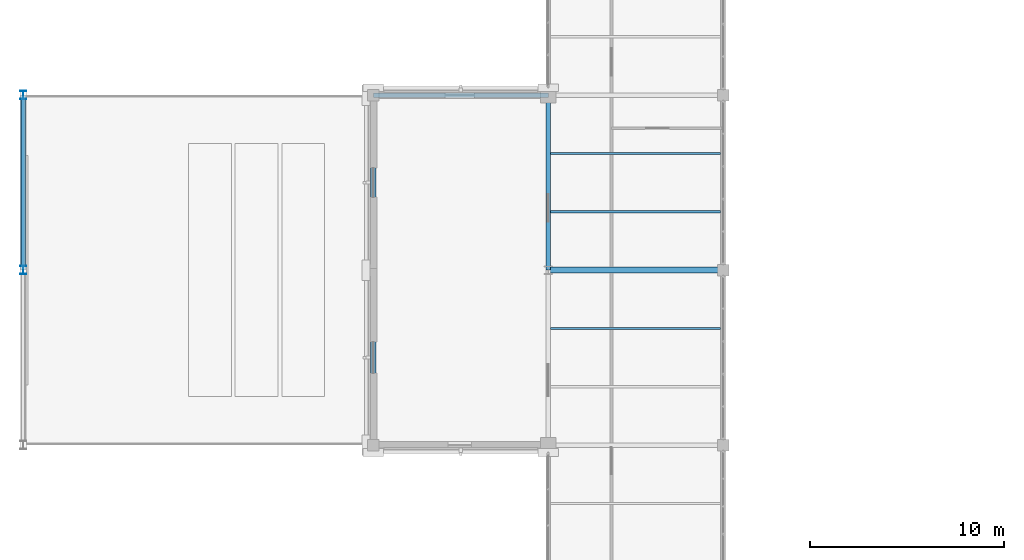
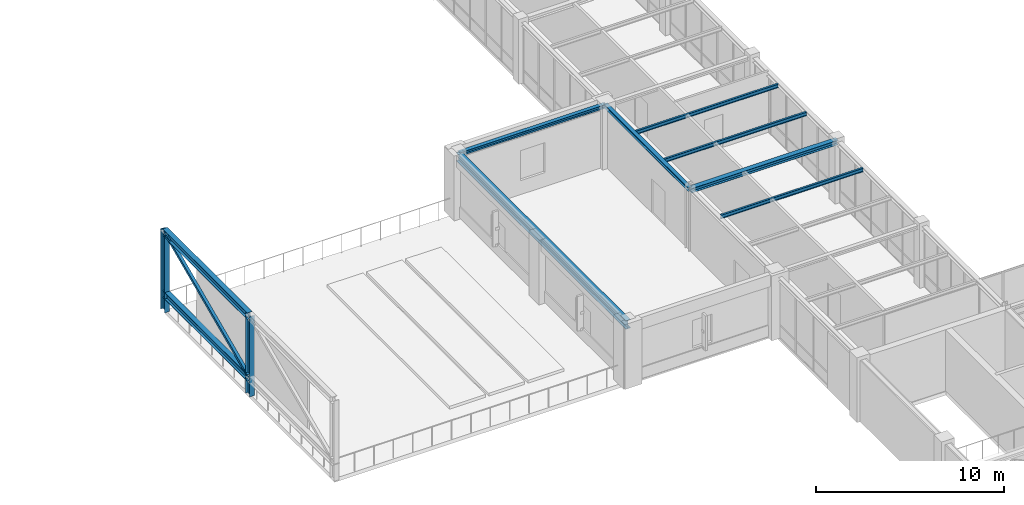
# One storey, part 25 of 97: 7 beams, 5 members.
"""IFC4 building model written with IfcOpenShell, lengths in metres."""

from ifc_helpers import new_model, si_unit, direction, frame, origin, origin_2d, place, context, subcontext, project, spatial, hollow_rectangle, i_section, extrude, material, material_profile, profile_set, type_object, element, save


model = new_model("IFC4")

# Units and contexts
model_context = context("Model", 3, precision=1e-05, world=origin(), true_north=direction((0.0, 1.0)))
body_context = subcontext(model_context, "Body", "Model", "MODEL_VIEW")
ifc_project = project(units=[si_unit("LENGTHUNIT", "METRE"), si_unit("AREAUNIT", "SQUARE_METRE"), si_unit("VOLUMEUNIT", "CUBIC_METRE"), si_unit("PLANEANGLEUNIT", "RADIAN"), si_unit("MASSUNIT", "GRAM", prefix="KILO")], contexts=[model_context])

# Site, building, storey
site_placement = place(None, origin())
site = spatial("IfcSite", under=ifc_project, at=site_placement, CompositionType="ELEMENT")
building_placement = place(site_placement, origin())
building = spatial("IfcBuilding", under=site, at=building_placement, Name="Lykobir Media Centre", CompositionType="ELEMENT")
storey_placement = place(building_placement, frame((0.0, 0.0, 23.39990234375)))
storey = spatial("IfcBuildingStorey", under=building, at=storey_placement, Name="L05", CompositionType="ELEMENT", Elevation=23.39990234375)

# Beams
ifc_material = material(Name="Steel S355", Category="steel")
ifc_material_profile_1 = material_profile(ifc_material, i_section(OverallWidth=0.300048828125, OverallDepth=0.2900390625, WebThickness=0.008544921875, FlangeThickness=0.013916015625, at=origin_2d()), Name="HEA 300")
ifc_profile_set_1 = profile_set([ifc_material_profile_1], Name="Steel S355")
beam_type_1 = type_object("IfcBeamType", Name="BM-HEA300", PredefinedType="BEAM", material=ifc_profile_set_1)
beam_1_placement = place(storey_placement, frame((27.0, 36.0, 3.815185546875), z_axis=(1.0, 0.0, 0.0), x_axis=(0.0, 1.0, 0.0)))
element("IfcBeam", 1, at=beam_1_placement, inside=storey, type_object=beam_type_1, Name="Beam BM-L05-0270-0360-0360-0360-2722", PredefinedType="BEAM", context=body_context, shape_type="SweptSolid", body=[
    extrude(i_section(OverallWidth=0.300048828125, OverallDepth=0.2900390625, WebThickness=0.008544921875, FlangeThickness=0.013916015625, at=origin_2d()), origin(), (0.0, 0.0, 1.0), 9.0),
])
ifc_material_profile_2 = material_profile(ifc_material, i_section(OverallWidth=0.300048828125, OverallDepth=0.550048828125, WebThickness=0.014892578125, FlangeThickness=0.029052734375, at=origin_2d()), Name="HEB 550")
ifc_profile_set_2 = profile_set([ifc_material_profile_2], Name="Steel S355")
beam_type_2 = type_object("IfcBeamType", Name="BM-HEB550", PredefinedType="BEAM", material=ifc_profile_set_2)
beam_2_placement = place(storey_placement, frame((18.0, 27.0, 3.68505859375), z_axis=(0.0, 1.0, 0.0), x_axis=(-1.0, 0.0, 0.0)))
element("IfcBeam", 2, at=beam_2_placement, inside=storey, type_object=beam_type_2, Name="Beam BM-L05-0180-0270-0180-0450-2708", PredefinedType="BEAM", context=body_context, shape_type="SweptSolid", body=[
    extrude(i_section(OverallWidth=0.300048828125, OverallDepth=0.550048828125, WebThickness=0.014892578125, FlangeThickness=0.029052734375, at=origin_2d()), origin(), (0.0, 0.0, 1.0), 18.0),
])

# Member
ifc_material_profile_3 = material_profile(ifc_material, hollow_rectangle(XDim=0.179931640625, YDim=0.179931640625, WallThickness=0.010009765625, at=origin_2d()), Name="SHS 180x180x10")
ifc_profile_set_3 = profile_set([ifc_material_profile_3], Name="Steel S355")
member_type_1 = type_object("IfcMemberType", Name="BR-SHS180-E", PredefinedType="BRACE", material=ifc_profile_set_3)
member_placement = place(storey_placement, frame((0.0, 36.0, 1.10009765625), z_axis=(0.0, 0.91381154862, 0.406138466053), x_axis=(-1.0, 0.0, 0.0)))
element("IfcMember", 3, at=member_placement, inside=storey, type_object=member_type_1, Name="Diagonal brace MEM2-L05-0000-0360-0245-0000-0450-0141", PredefinedType="BRACE", context=body_context, shape_type="SweptSolid", body=[
    extrude(hollow_rectangle(XDim=0.179931640625, YDim=0.179931640625, WallThickness=0.010009765625, at=origin_2d()), origin(), (0.0, 0.0, 1.0), 9.848876953125),
])

# Beams
ifc_material_profile_4 = material_profile(ifc_material, i_section(OverallWidth=0.1201171875, OverallDepth=0.239990234375, WebThickness=0.006103515625, FlangeThickness=0.009765625, at=origin_2d()), Name="IPE 240")
ifc_profile_set_4 = profile_set([ifc_material_profile_4], Name="Steel S355")
beam_type_3 = type_object("IfcBeamType", Name="JS-IPE240", PredefinedType="JOIST", material=ifc_profile_set_4)
for number, where, z_axis, x_axis, name in (
    (4, (27.1201171875, 33.0, 3.840087890625), (1.0, 0.0, 0.0), (0.0, 1.0, 0.0), "Beam BM-L05-0271-0330-0359-0330-2724"),
    (5, (27.1201171875, 39.0, 3.840087890625), (1.0, 0.0, 0.0), (0.0, 1.0, 0.0), "Beam BM-L05-0271-0390-0359-0390-2724"),
    (6, (27.1201171875, 42.0, 3.840087890625), (1.0, 0.0, 0.0), (0.0, 1.0, 0.0), "Beam BM-L05-0271-0420-0359-0420-2724"),
):
    element("IfcBeam", number, at=place(storey_placement, frame(where, z_axis=z_axis, x_axis=x_axis)), inside=storey, type_object=beam_type_3, Name=name, PredefinedType="JOIST", context=body_context, shape_type="SweptSolid", body=[
        extrude(i_section(OverallWidth=0.1201171875, OverallDepth=0.239990234375, WebThickness=0.006103515625, FlangeThickness=0.009765625, at=origin_2d()), origin(), (0.0, 0.0, 1.0), 8.739990234375),
    ])
ifc_material_profile_5 = material_profile(ifc_material, i_section(OverallWidth=0.239990234375, OverallDepth=0.22998046875, WebThickness=0.007568359375, FlangeThickness=0.011962890625, at=origin_2d()), Name="HEA 240")
ifc_profile_set_5 = profile_set([ifc_material_profile_5], Name="Steel S355")
beam_type_4 = type_object("IfcBeamType", Name="SP-HEA240", PredefinedType="SPANDREL", material=ifc_profile_set_5)
for number, where, z_axis, x_axis, name in (
    (7, (18.0, 45.0, 3.84521484375), (1.0, 0.0, 0.0), (0.0, 1.0, 0.0), "Beam BM-L05-0180-0450-0270-0450-2724"),
    (8, (27.0, 36.0, 3.84521484375), (0.0, 1.0, 0.0), (-1.0, 0.0, 0.0), "Beam BM-L05-0270-0360-0270-0450-2724"),
):
    element("IfcBeam", number, at=place(storey_placement, frame(where, z_axis=z_axis, x_axis=x_axis)), inside=storey, type_object=beam_type_4, Name=name, PredefinedType="SPANDREL", context=body_context, shape_type="SweptSolid", body=[
        extrude(i_section(OverallWidth=0.239990234375, OverallDepth=0.22998046875, WebThickness=0.007568359375, FlangeThickness=0.011962890625, at=origin_2d()), origin(), (0.0, 0.0, 1.0), 9.0),
    ])

# Members
ifc_material_profile_6 = material_profile(ifc_material, i_section(OverallWidth=0.300048828125, OverallDepth=0.43994140625, WebThickness=0.011474609375, FlangeThickness=0.02099609375, at=origin_2d()), Name="HEA 450")
ifc_profile_set_6 = profile_set([ifc_material_profile_6], Name="Steel S355")
member_type_2 = type_object("IfcMemberType", Name="TC-HEA450-E", PredefinedType="CHORD", material=ifc_profile_set_6)
for number, where, z_axis, x_axis, name in (
    (9, (0.0, 36.0, 0.0), (0.0, 0.0, 1.0), (1.0, 0.0, 0.0), "Truss chord MEM2-L05-0000-0360-0234-0000-0360-0134"),
    (10, (0.0, 45.0, 0.0), (0.0, 0.0, 1.0), (1.0, 0.0, 0.0), "Truss chord MEM2-L05-0000-0450-0234-0000-0450-0135"),
):
    element("IfcMember", number, at=place(storey_placement, frame(where, z_axis=z_axis, x_axis=x_axis)), inside=storey, type_object=member_type_2, Name=name, PredefinedType="CHORD", context=body_context, shape_type="SweptSolid", body=[
        extrude(i_section(OverallWidth=0.300048828125, OverallDepth=0.43994140625, WebThickness=0.011474609375, FlangeThickness=0.02099609375, at=origin_2d()), origin(), (0.0, 0.0, 1.0), 5.2001953125),
    ])
for number, where, z_axis, x_axis, name in (
    (11, (0.0, 36.0, 5.10009765625), (0.0, 1.0, 0.0), (-1.0, 0.0, 0.0), "Truss chord MEM2-L05-0000-0360-0285-0000-0450-0139"),
    (12, (0.0, 36.0, 1.10009765625), (0.0, 1.0, 0.0), (-1.0, 0.0, 0.0), "Truss chord MEM2-L05-0000-0360-0245-0000-0450-0140"),
):
    element("IfcMember", number, at=place(storey_placement, frame(where, z_axis=z_axis, x_axis=x_axis)), inside=storey, type_object=member_type_2, Name=name, PredefinedType="CHORD", context=body_context, shape_type="SweptSolid", body=[
        extrude(i_section(OverallWidth=0.300048828125, OverallDepth=0.43994140625, WebThickness=0.011474609375, FlangeThickness=0.02099609375, at=origin_2d()), origin(), (0.0, 0.0, 1.0), 9.0),
    ])

save(model, "model.ifc")
